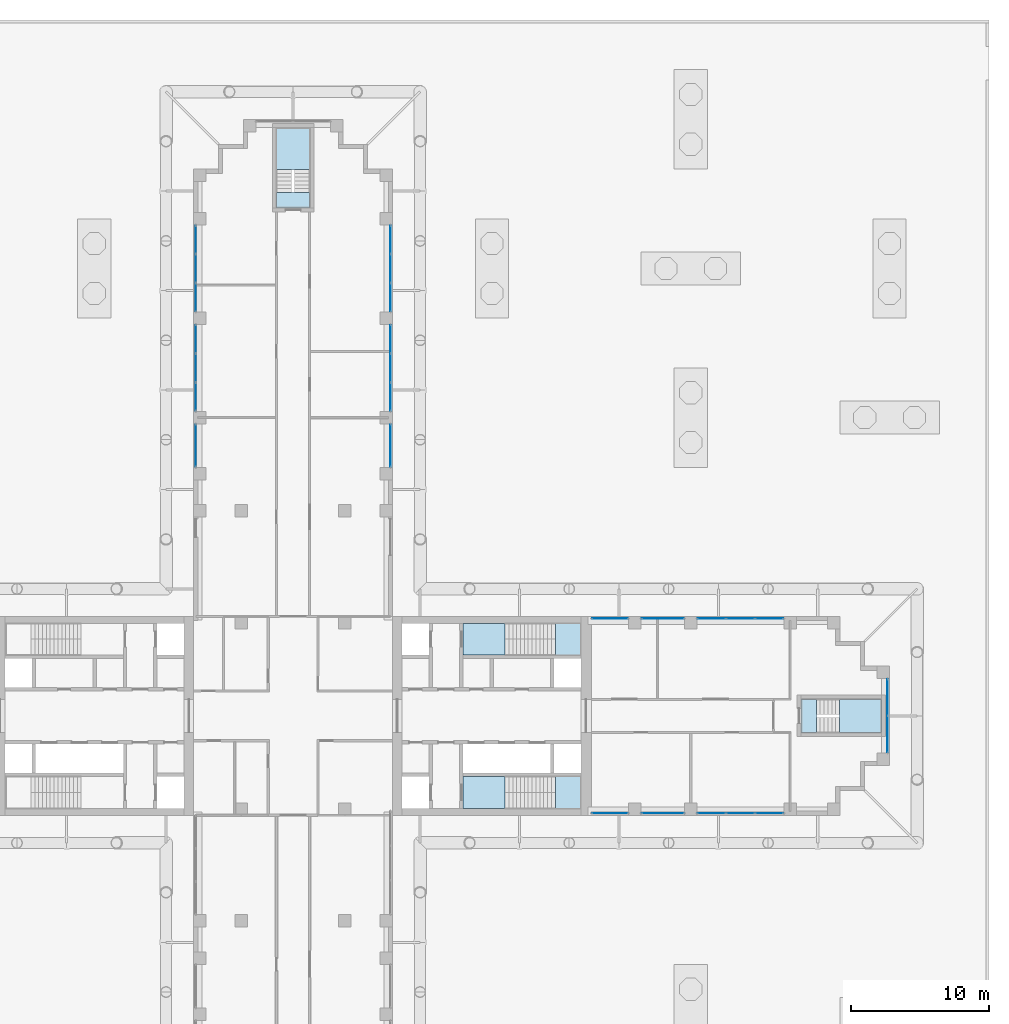
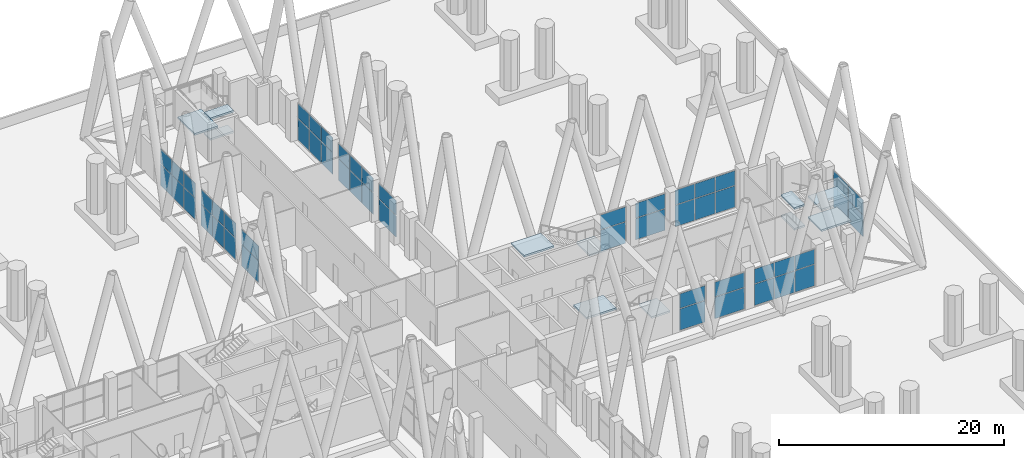
# One storey, part 16 of 31: 52 plates, 11 slabs, 17 elements without a shape of their own.
"""IFC4 building model written with IfcOpenShell, lengths in metres."""

from ifc_helpers import new_model, si_unit, direction, frame, origin, origin_2d, place, context, subcontext, project, spatial, polyline, rectangle, outline, extrude, material, layer, layer_set, type_object, element, aggregate, save


model = new_model("IFC4")

# Units and contexts
model_context = context("Model", 3, precision=1e-05, world=origin(), true_north=direction((0.0, 1.0)))
body_context = subcontext(model_context, "Body", "Model", "MODEL_VIEW")
ifc_project = project(units=[si_unit("LENGTHUNIT", "METRE"), si_unit("AREAUNIT", "SQUARE_METRE"), si_unit("VOLUMEUNIT", "CUBIC_METRE"), si_unit("PLANEANGLEUNIT", "RADIAN"), si_unit("MASSUNIT", "GRAM", prefix="KILO")], contexts=[model_context])

# Site, building, storey
site_placement = place(None, origin())
site = spatial("IfcSite", under=ifc_project, at=site_placement, CompositionType="ELEMENT")
building_placement = place(site_placement, origin())
building = spatial("IfcBuilding", under=site, at=building_placement, Name="Fustian Cross Tower", CompositionType="ELEMENT")
storey_placement = place(building_placement, frame((0.0, 0.0, 7.199951171875)))
storey = spatial("IfcBuildingStorey", under=building, at=storey_placement, Name="L01", CompositionType="ELEMENT", Elevation=7.199951171875)

# Curtain wall, plates
ifc_material_1 = material(Name="Glass", Category="glass")
curtain_wall_type = type_object("IfcCurtainWallType", Name="CW4 CURTAIN WALL", PredefinedType="NOTDEFINED", material=ifc_material_1)
curtain_wall_1_placement = place(storey_placement, origin())
curtain_wall_1 = element("IfcCurtainWall", 1, at=curtain_wall_1_placement, inside=storey, type_object=curtain_wall_type, Name="Curtain wall CW4", PredefinedType="NOTDEFINED")
ifc_material_2 = material(Name="Glass", Category="glass")
ifc_layer_1 = layer(ifc_material_2, 0.028076171875)
ifc_layer_set_1 = layer_set([ifc_layer_1], Name="Glass")
plate_type = type_object("IfcPlateType", Name="CW4 PANEL IGU28", PredefinedType="CURTAIN_PANEL", material=ifc_layer_set_1)
plate_1_placement = place(storey_placement, frame((22.949951171875, -7.050048828125, 0.06005859375), z_axis=(0.0, 0.0, 1.0), x_axis=(1.0, 0.0, 0.0)))
plate_1 = element("IfcPlate", 2, at=plate_1_placement, type_object=plate_type, Name="CW4 panel 1.1", PredefinedType="CURTAIN_PANEL", context=body_context, shape_type="SweptSolid", body=[
    extrude(rectangle(XDim=2.580078125, YDim=0.028076171875, at=origin_2d()), origin(), (0.0, 0.0, 1.0), 2.31005859375),
])
plate_2_placement = place(storey_placement, frame((22.949951171875, -7.050048828125, 2.43017578125), z_axis=(0.0, 0.0, 1.0), x_axis=(1.0, 0.0, 0.0)))
plate_2 = element("IfcPlate", 3, at=plate_2_placement, type_object=plate_type, Name="CW4 panel 1.2", PredefinedType="CURTAIN_PANEL", context=body_context, shape_type="SweptSolid", body=[
    extrude(rectangle(XDim=2.580078125, YDim=0.028076171875, at=origin_2d()), origin(), (0.0, 0.0, 1.0), 1.5849609375),
])
aggregate(curtain_wall_1, [plate_1, plate_2])

curtain_wall_2_placement = place(storey_placement, origin())
curtain_wall_2 = element("IfcCurtainWall", 4, at=curtain_wall_2_placement, inside=storey, type_object=curtain_wall_type, Name="Curtain wall CW4", PredefinedType="NOTDEFINED")
plate_3_placement = place(storey_placement, frame((26.77490234375, -7.050048828125, 0.06005859375), z_axis=(0.0, 0.0, 1.0), x_axis=(1.0, 0.0, 0.0)))
plate_3 = element("IfcPlate", 5, at=plate_3_placement, type_object=plate_type, Name="CW4 panel 1.1", PredefinedType="CURTAIN_PANEL", context=body_context, shape_type="SweptSolid", body=[
    extrude(rectangle(XDim=3.030029296875, YDim=0.028076171875, at=origin_2d()), origin(), (0.0, 0.0, 1.0), 2.31005859375),
])
plate_4_placement = place(storey_placement, frame((26.77490234375, -7.050048828125, 2.43017578125), z_axis=(0.0, 0.0, 1.0), x_axis=(1.0, 0.0, 0.0)))
plate_4 = element("IfcPlate", 6, at=plate_4_placement, type_object=plate_type, Name="CW4 panel 1.2", PredefinedType="CURTAIN_PANEL", context=body_context, shape_type="SweptSolid", body=[
    extrude(rectangle(XDim=3.030029296875, YDim=0.028076171875, at=origin_2d()), origin(), (0.0, 0.0, 1.0), 1.5849609375),
])
aggregate(curtain_wall_2, [plate_3, plate_4])

curtain_wall_3_placement = place(storey_placement, origin())
curtain_wall_3 = element("IfcCurtainWall", 7, at=curtain_wall_3_placement, inside=storey, type_object=curtain_wall_type, Name="Curtain wall CW4", PredefinedType="NOTDEFINED")
plate_5_placement = place(storey_placement, frame((30.31494140625, -7.050048828125, 0.06005859375), z_axis=(0.0, 0.0, 1.0), x_axis=(1.0, 0.0, 0.0)))
plate_5 = element("IfcPlate", 8, at=plate_5_placement, type_object=plate_type, Name="CW4 panel 1.1", PredefinedType="CURTAIN_PANEL", context=body_context, shape_type="SweptSolid", body=[
    extrude(rectangle(XDim=2.010009765625, YDim=0.028076171875, at=origin_2d()), origin(), (0.0, 0.0, 1.0), 2.31005859375),
])
plate_6_placement = place(storey_placement, frame((30.31494140625, -7.050048828125, 2.43017578125), z_axis=(0.0, 0.0, 1.0), x_axis=(1.0, 0.0, 0.0)))
plate_6 = element("IfcPlate", 9, at=plate_6_placement, type_object=plate_type, Name="CW4 panel 1.2", PredefinedType="CURTAIN_PANEL", context=body_context, shape_type="SweptSolid", body=[
    extrude(rectangle(XDim=2.010009765625, YDim=0.028076171875, at=origin_2d()), origin(), (0.0, 0.0, 1.0), 1.5849609375),
])
plate_7_placement = place(storey_placement, frame((32.39990234375, -7.050048828125, 0.06005859375), z_axis=(0.0, 0.0, 1.0), x_axis=(1.0, 0.0, 0.0)))
plate_7 = element("IfcPlate", 10, at=plate_7_placement, type_object=plate_type, Name="CW4 panel 2.1", PredefinedType="CURTAIN_PANEL", context=body_context, shape_type="SweptSolid", body=[
    extrude(rectangle(XDim=2.0400390625, YDim=0.028076171875, at=origin_2d()), origin(), (0.0, 0.0, 1.0), 2.31005859375),
])
plate_8_placement = place(storey_placement, frame((32.39990234375, -7.050048828125, 2.43017578125), z_axis=(0.0, 0.0, 1.0), x_axis=(1.0, 0.0, 0.0)))
plate_8 = element("IfcPlate", 11, at=plate_8_placement, type_object=plate_type, Name="CW4 panel 2.2", PredefinedType="CURTAIN_PANEL", context=body_context, shape_type="SweptSolid", body=[
    extrude(rectangle(XDim=2.0400390625, YDim=0.028076171875, at=origin_2d()), origin(), (0.0, 0.0, 1.0), 1.5849609375),
])
plate_9_placement = place(storey_placement, frame((34.485107421875, -7.050048828125, 0.06005859375), z_axis=(0.0, 0.0, 1.0), x_axis=(1.0, 0.0, 0.0)))
plate_9 = element("IfcPlate", 12, at=plate_9_placement, type_object=plate_type, Name="CW4 panel 3.1", PredefinedType="CURTAIN_PANEL", context=body_context, shape_type="SweptSolid", body=[
    extrude(rectangle(XDim=2.010009765625, YDim=0.028076171875, at=origin_2d()), origin(), (0.0, 0.0, 1.0), 2.31005859375),
])
plate_10_placement = place(storey_placement, frame((34.485107421875, -7.050048828125, 2.43017578125), z_axis=(0.0, 0.0, 1.0), x_axis=(1.0, 0.0, 0.0)))
plate_10 = element("IfcPlate", 13, at=plate_10_placement, type_object=plate_type, Name="CW4 panel 3.2", PredefinedType="CURTAIN_PANEL", context=body_context, shape_type="SweptSolid", body=[
    extrude(rectangle(XDim=2.010009765625, YDim=0.028076171875, at=origin_2d()), origin(), (0.0, 0.0, 1.0), 1.5849609375),
])
aggregate(curtain_wall_3, [plate_5, plate_6, plate_7, plate_8, plate_9, plate_10])

curtain_wall_4_placement = place(storey_placement, origin())
curtain_wall_4 = element("IfcCurtainWall", 14, at=curtain_wall_4_placement, inside=storey, type_object=curtain_wall_type, Name="Curtain wall CW4", PredefinedType="NOTDEFINED")
plate_11_placement = place(storey_placement, frame((43.050048828125, -1.3349609375, 0.06005859375), z_axis=(0.0, 0.0, 1.0), x_axis=(0.0, 1.0, 0.0)))
plate_11 = element("IfcPlate", 15, at=plate_11_placement, type_object=plate_type, Name="CW4 panel 1.1", PredefinedType="CURTAIN_PANEL", context=body_context, shape_type="SweptSolid", body=[
    extrude(rectangle(XDim=2.610107421875, YDim=0.028076171875, at=origin_2d()), origin(), (0.0, 0.0, 1.0), 2.31005859375),
])
plate_12_placement = place(storey_placement, frame((43.050048828125, -1.3349609375, 2.43017578125), z_axis=(0.0, 0.0, 1.0), x_axis=(0.0, 1.0, 0.0)))
plate_12 = element("IfcPlate", 16, at=plate_12_placement, type_object=plate_type, Name="CW4 panel 1.2", PredefinedType="CURTAIN_PANEL", context=body_context, shape_type="SweptSolid", body=[
    extrude(rectangle(XDim=2.610107421875, YDim=0.028076171875, at=origin_2d()), origin(), (0.0, 0.0, 1.0), 1.5849609375),
])
plate_13_placement = place(storey_placement, frame((43.050048828125, 1.3349609375, 0.06005859375), z_axis=(0.0, 0.0, 1.0), x_axis=(0.0, 1.0, 0.0)))
plate_13 = element("IfcPlate", 17, at=plate_13_placement, type_object=plate_type, Name="CW4 panel 2.1", PredefinedType="CURTAIN_PANEL", context=body_context, shape_type="SweptSolid", body=[
    extrude(rectangle(XDim=2.610107421875, YDim=0.028076171875, at=origin_2d()), origin(), (0.0, 0.0, 1.0), 2.31005859375),
])
plate_14_placement = place(storey_placement, frame((43.050048828125, 1.3349609375, 2.43017578125), z_axis=(0.0, 0.0, 1.0), x_axis=(0.0, 1.0, 0.0)))
plate_14 = element("IfcPlate", 18, at=plate_14_placement, type_object=plate_type, Name="CW4 panel 2.2", PredefinedType="CURTAIN_PANEL", context=body_context, shape_type="SweptSolid", body=[
    extrude(rectangle(XDim=2.610107421875, YDim=0.028076171875, at=origin_2d()), origin(), (0.0, 0.0, 1.0), 1.5849609375),
])
aggregate(curtain_wall_4, [plate_11, plate_12, plate_13, plate_14])

curtain_wall_5_placement = place(storey_placement, origin())
curtain_wall_5 = element("IfcCurtainWall", 19, at=curtain_wall_5_placement, inside=storey, type_object=curtain_wall_type, Name="Curtain wall CW4", PredefinedType="NOTDEFINED")
plate_15_placement = place(storey_placement, frame((34.485107421875, 7.050048828125, 0.06005859375), z_axis=(0.0, 0.0, 1.0), x_axis=(-1.0, 0.0, 0.0)))
plate_15 = element("IfcPlate", 20, at=plate_15_placement, type_object=plate_type, Name="CW4 panel 1.1", PredefinedType="CURTAIN_PANEL", context=body_context, shape_type="SweptSolid", body=[
    extrude(rectangle(XDim=2.010009765625, YDim=0.028076171875, at=origin_2d()), origin(), (0.0, 0.0, 1.0), 2.31005859375),
])
plate_16_placement = place(storey_placement, frame((34.485107421875, 7.050048828125, 2.43017578125), z_axis=(0.0, 0.0, 1.0), x_axis=(-1.0, 0.0, 0.0)))
plate_16 = element("IfcPlate", 21, at=plate_16_placement, type_object=plate_type, Name="CW4 panel 1.2", PredefinedType="CURTAIN_PANEL", context=body_context, shape_type="SweptSolid", body=[
    extrude(rectangle(XDim=2.010009765625, YDim=0.028076171875, at=origin_2d()), origin(), (0.0, 0.0, 1.0), 1.5849609375),
])
plate_17_placement = place(storey_placement, frame((32.39990234375, 7.050048828125, 0.06005859375), z_axis=(0.0, 0.0, 1.0), x_axis=(-1.0, 0.0, 0.0)))
plate_17 = element("IfcPlate", 22, at=plate_17_placement, type_object=plate_type, Name="CW4 panel 2.1", PredefinedType="CURTAIN_PANEL", context=body_context, shape_type="SweptSolid", body=[
    extrude(rectangle(XDim=2.0400390625, YDim=0.028076171875, at=origin_2d()), origin(), (0.0, 0.0, 1.0), 2.31005859375),
])
plate_18_placement = place(storey_placement, frame((32.39990234375, 7.050048828125, 2.43017578125), z_axis=(0.0, 0.0, 1.0), x_axis=(-1.0, 0.0, 0.0)))
plate_18 = element("IfcPlate", 23, at=plate_18_placement, type_object=plate_type, Name="CW4 panel 2.2", PredefinedType="CURTAIN_PANEL", context=body_context, shape_type="SweptSolid", body=[
    extrude(rectangle(XDim=2.0400390625, YDim=0.028076171875, at=origin_2d()), origin(), (0.0, 0.0, 1.0), 1.5849609375),
])
plate_19_placement = place(storey_placement, frame((30.31494140625, 7.050048828125, 0.06005859375), z_axis=(0.0, 0.0, 1.0), x_axis=(-1.0, 0.0, 0.0)))
plate_19 = element("IfcPlate", 24, at=plate_19_placement, type_object=plate_type, Name="CW4 panel 3.1", PredefinedType="CURTAIN_PANEL", context=body_context, shape_type="SweptSolid", body=[
    extrude(rectangle(XDim=2.010009765625, YDim=0.028076171875, at=origin_2d()), origin(), (0.0, 0.0, 1.0), 2.31005859375),
])
plate_20_placement = place(storey_placement, frame((30.31494140625, 7.050048828125, 2.43017578125), z_axis=(0.0, 0.0, 1.0), x_axis=(-1.0, 0.0, 0.0)))
plate_20 = element("IfcPlate", 25, at=plate_20_placement, type_object=plate_type, Name="CW4 panel 3.2", PredefinedType="CURTAIN_PANEL", context=body_context, shape_type="SweptSolid", body=[
    extrude(rectangle(XDim=2.010009765625, YDim=0.028076171875, at=origin_2d()), origin(), (0.0, 0.0, 1.0), 1.5849609375),
])
aggregate(curtain_wall_5, [plate_15, plate_16, plate_17, plate_18, plate_19, plate_20])

curtain_wall_6_placement = place(storey_placement, origin())
curtain_wall_6 = element("IfcCurtainWall", 26, at=curtain_wall_6_placement, inside=storey, type_object=curtain_wall_type, Name="Curtain wall CW4", PredefinedType="NOTDEFINED")
plate_21_placement = place(storey_placement, frame((26.77490234375, 7.050048828125, 0.06005859375), z_axis=(0.0, 0.0, 1.0), x_axis=(-1.0, 0.0, 0.0)))
plate_21 = element("IfcPlate", 27, at=plate_21_placement, type_object=plate_type, Name="CW4 panel 1.1", PredefinedType="CURTAIN_PANEL", context=body_context, shape_type="SweptSolid", body=[
    extrude(rectangle(XDim=3.030029296875, YDim=0.028076171875, at=origin_2d()), origin(), (0.0, 0.0, 1.0), 2.31005859375),
])
plate_22_placement = place(storey_placement, frame((26.77490234375, 7.050048828125, 2.43017578125), z_axis=(0.0, 0.0, 1.0), x_axis=(-1.0, 0.0, 0.0)))
plate_22 = element("IfcPlate", 28, at=plate_22_placement, type_object=plate_type, Name="CW4 panel 1.2", PredefinedType="CURTAIN_PANEL", context=body_context, shape_type="SweptSolid", body=[
    extrude(rectangle(XDim=3.030029296875, YDim=0.028076171875, at=origin_2d()), origin(), (0.0, 0.0, 1.0), 1.5849609375),
])
aggregate(curtain_wall_6, [plate_21, plate_22])

curtain_wall_7_placement = place(storey_placement, origin())
curtain_wall_7 = element("IfcCurtainWall", 29, at=curtain_wall_7_placement, inside=storey, type_object=curtain_wall_type, Name="Curtain wall CW4", PredefinedType="NOTDEFINED")
plate_23_placement = place(storey_placement, frame((22.949951171875, 7.050048828125, 0.06005859375), z_axis=(0.0, 0.0, 1.0), x_axis=(-1.0, 0.0, 0.0)))
plate_23 = element("IfcPlate", 30, at=plate_23_placement, type_object=plate_type, Name="CW4 panel 1.1", PredefinedType="CURTAIN_PANEL", context=body_context, shape_type="SweptSolid", body=[
    extrude(rectangle(XDim=2.580078125, YDim=0.028076171875, at=origin_2d()), origin(), (0.0, 0.0, 1.0), 2.31005859375),
])
plate_24_placement = place(storey_placement, frame((22.949951171875, 7.050048828125, 2.43017578125), z_axis=(0.0, 0.0, 1.0), x_axis=(-1.0, 0.0, 0.0)))
plate_24 = element("IfcPlate", 31, at=plate_24_placement, type_object=plate_type, Name="CW4 panel 1.2", PredefinedType="CURTAIN_PANEL", context=body_context, shape_type="SweptSolid", body=[
    extrude(rectangle(XDim=2.580078125, YDim=0.028076171875, at=origin_2d()), origin(), (0.0, 0.0, 1.0), 1.5849609375),
])
aggregate(curtain_wall_7, [plate_23, plate_24])

curtain_wall_8_placement = place(storey_placement, origin())
curtain_wall_8 = element("IfcCurtainWall", 32, at=curtain_wall_8_placement, inside=storey, type_object=curtain_wall_type, Name="Curtain wall CW4", PredefinedType="NOTDEFINED")
plate_25_placement = place(storey_placement, frame((7.050048828125, 19.574951171875, 0.06005859375), z_axis=(0.0, 0.0, 1.0), x_axis=(0.0, 1.0, 0.0)))
plate_25 = element("IfcPlate", 33, at=plate_25_placement, type_object=plate_type, Name="CW4 panel 1.1", PredefinedType="CURTAIN_PANEL", context=body_context, shape_type="SweptSolid", body=[
    extrude(rectangle(XDim=3.030029296875, YDim=0.028076171875, at=origin_2d()), origin(), (0.0, 0.0, 1.0), 2.31005859375),
])
plate_26_placement = place(storey_placement, frame((7.050048828125, 19.574951171875, 2.43017578125), z_axis=(0.0, 0.0, 1.0), x_axis=(0.0, 1.0, 0.0)))
plate_26 = element("IfcPlate", 34, at=plate_26_placement, type_object=plate_type, Name="CW4 panel 1.2", PredefinedType="CURTAIN_PANEL", context=body_context, shape_type="SweptSolid", body=[
    extrude(rectangle(XDim=3.030029296875, YDim=0.028076171875, at=origin_2d()), origin(), (0.0, 0.0, 1.0), 1.5849609375),
])
aggregate(curtain_wall_8, [plate_25, plate_26])

curtain_wall_9_placement = place(storey_placement, origin())
curtain_wall_9 = element("IfcCurtainWall", 35, at=curtain_wall_9_placement, inside=storey, type_object=curtain_wall_type, Name="Curtain wall CW4", PredefinedType="NOTDEFINED")
plate_27_placement = place(storey_placement, frame((7.050048828125, 23.114990234375, 0.06005859375), z_axis=(0.0, 0.0, 1.0), x_axis=(0.0, 1.0, 0.0)))
plate_27 = element("IfcPlate", 36, at=plate_27_placement, type_object=plate_type, Name="CW4 panel 1.1", PredefinedType="CURTAIN_PANEL", context=body_context, shape_type="SweptSolid", body=[
    extrude(rectangle(XDim=2.010009765625, YDim=0.028076171875, at=origin_2d()), origin(), (0.0, 0.0, 1.0), 2.31005859375),
])
plate_28_placement = place(storey_placement, frame((7.050048828125, 23.114990234375, 2.43017578125), z_axis=(0.0, 0.0, 1.0), x_axis=(0.0, 1.0, 0.0)))
plate_28 = element("IfcPlate", 37, at=plate_28_placement, type_object=plate_type, Name="CW4 panel 1.2", PredefinedType="CURTAIN_PANEL", context=body_context, shape_type="SweptSolid", body=[
    extrude(rectangle(XDim=2.010009765625, YDim=0.028076171875, at=origin_2d()), origin(), (0.0, 0.0, 1.0), 1.5849609375),
])
plate_29_placement = place(storey_placement, frame((7.050048828125, 25.199951171875, 0.06005859375), z_axis=(0.0, 0.0, 1.0), x_axis=(0.0, 1.0, 0.0)))
plate_29 = element("IfcPlate", 38, at=plate_29_placement, type_object=plate_type, Name="CW4 panel 2.1", PredefinedType="CURTAIN_PANEL", context=body_context, shape_type="SweptSolid", body=[
    extrude(rectangle(XDim=2.0400390625, YDim=0.028076171875, at=origin_2d()), origin(), (0.0, 0.0, 1.0), 2.31005859375),
])
plate_30_placement = place(storey_placement, frame((7.050048828125, 25.199951171875, 2.43017578125), z_axis=(0.0, 0.0, 1.0), x_axis=(0.0, 1.0, 0.0)))
plate_30 = element("IfcPlate", 39, at=plate_30_placement, type_object=plate_type, Name="CW4 panel 2.2", PredefinedType="CURTAIN_PANEL", context=body_context, shape_type="SweptSolid", body=[
    extrude(rectangle(XDim=2.0400390625, YDim=0.028076171875, at=origin_2d()), origin(), (0.0, 0.0, 1.0), 1.5849609375),
])
plate_31_placement = place(storey_placement, frame((7.050048828125, 27.284912109375, 0.06005859375), z_axis=(0.0, 0.0, 1.0), x_axis=(0.0, 1.0, 0.0)))
plate_31 = element("IfcPlate", 40, at=plate_31_placement, type_object=plate_type, Name="CW4 panel 3.1", PredefinedType="CURTAIN_PANEL", context=body_context, shape_type="SweptSolid", body=[
    extrude(rectangle(XDim=2.010009765625, YDim=0.028076171875, at=origin_2d()), origin(), (0.0, 0.0, 1.0), 2.31005859375),
])
plate_32_placement = place(storey_placement, frame((7.050048828125, 27.284912109375, 2.43017578125), z_axis=(0.0, 0.0, 1.0), x_axis=(0.0, 1.0, 0.0)))
plate_32 = element("IfcPlate", 41, at=plate_32_placement, type_object=plate_type, Name="CW4 panel 3.2", PredefinedType="CURTAIN_PANEL", context=body_context, shape_type="SweptSolid", body=[
    extrude(rectangle(XDim=2.010009765625, YDim=0.028076171875, at=origin_2d()), origin(), (0.0, 0.0, 1.0), 1.5849609375),
])
aggregate(curtain_wall_9, [plate_27, plate_28, plate_29, plate_30, plate_31, plate_32])

curtain_wall_10_placement = place(storey_placement, origin())
curtain_wall_10 = element("IfcCurtainWall", 42, at=curtain_wall_10_placement, inside=storey, type_object=curtain_wall_type, Name="Curtain wall CW4", PredefinedType="NOTDEFINED")
plate_33_placement = place(storey_placement, frame((7.050048828125, 30.31494140625, 0.06005859375), z_axis=(0.0, 0.0, 1.0), x_axis=(0.0, 1.0, 0.0)))
plate_33 = element("IfcPlate", 43, at=plate_33_placement, type_object=plate_type, Name="CW4 panel 1.1", PredefinedType="CURTAIN_PANEL", context=body_context, shape_type="SweptSolid", body=[
    extrude(rectangle(XDim=2.010009765625, YDim=0.028076171875, at=origin_2d()), origin(), (0.0, 0.0, 1.0), 2.31005859375),
])
plate_34_placement = place(storey_placement, frame((7.050048828125, 30.31494140625, 2.43017578125), z_axis=(0.0, 0.0, 1.0), x_axis=(0.0, 1.0, 0.0)))
plate_34 = element("IfcPlate", 44, at=plate_34_placement, type_object=plate_type, Name="CW4 panel 1.2", PredefinedType="CURTAIN_PANEL", context=body_context, shape_type="SweptSolid", body=[
    extrude(rectangle(XDim=2.010009765625, YDim=0.028076171875, at=origin_2d()), origin(), (0.0, 0.0, 1.0), 1.5849609375),
])
plate_35_placement = place(storey_placement, frame((7.050048828125, 32.39990234375, 0.06005859375), z_axis=(0.0, 0.0, 1.0), x_axis=(0.0, 1.0, 0.0)))
plate_35 = element("IfcPlate", 45, at=plate_35_placement, type_object=plate_type, Name="CW4 panel 2.1", PredefinedType="CURTAIN_PANEL", context=body_context, shape_type="SweptSolid", body=[
    extrude(rectangle(XDim=2.0400390625, YDim=0.028076171875, at=origin_2d()), origin(), (0.0, 0.0, 1.0), 2.31005859375),
])
plate_36_placement = place(storey_placement, frame((7.050048828125, 32.39990234375, 2.43017578125), z_axis=(0.0, 0.0, 1.0), x_axis=(0.0, 1.0, 0.0)))
plate_36 = element("IfcPlate", 46, at=plate_36_placement, type_object=plate_type, Name="CW4 panel 2.2", PredefinedType="CURTAIN_PANEL", context=body_context, shape_type="SweptSolid", body=[
    extrude(rectangle(XDim=2.0400390625, YDim=0.028076171875, at=origin_2d()), origin(), (0.0, 0.0, 1.0), 1.5849609375),
])
plate_37_placement = place(storey_placement, frame((7.050048828125, 34.485107421875, 0.06005859375), z_axis=(0.0, 0.0, 1.0), x_axis=(0.0, 1.0, 0.0)))
plate_37 = element("IfcPlate", 47, at=plate_37_placement, type_object=plate_type, Name="CW4 panel 3.1", PredefinedType="CURTAIN_PANEL", context=body_context, shape_type="SweptSolid", body=[
    extrude(rectangle(XDim=2.010009765625, YDim=0.028076171875, at=origin_2d()), origin(), (0.0, 0.0, 1.0), 2.31005859375),
])
plate_38_placement = place(storey_placement, frame((7.050048828125, 34.485107421875, 2.43017578125), z_axis=(0.0, 0.0, 1.0), x_axis=(0.0, 1.0, 0.0)))
plate_38 = element("IfcPlate", 48, at=plate_38_placement, type_object=plate_type, Name="CW4 panel 3.2", PredefinedType="CURTAIN_PANEL", context=body_context, shape_type="SweptSolid", body=[
    extrude(rectangle(XDim=2.010009765625, YDim=0.028076171875, at=origin_2d()), origin(), (0.0, 0.0, 1.0), 1.5849609375),
])
aggregate(curtain_wall_10, [plate_33, plate_34, plate_35, plate_36, plate_37, plate_38])

curtain_wall_11_placement = place(storey_placement, origin())
curtain_wall_11 = element("IfcCurtainWall", 49, at=curtain_wall_11_placement, inside=storey, type_object=curtain_wall_type, Name="Curtain wall CW4", PredefinedType="NOTDEFINED")
plate_39_placement = place(storey_placement, frame((-7.050048828125, 34.485107421875, 0.06005859375), z_axis=(0.0, 0.0, 1.0), x_axis=(0.0, -1.0, 0.0)))
plate_39 = element("IfcPlate", 50, at=plate_39_placement, type_object=plate_type, Name="CW4 panel 1.1", PredefinedType="CURTAIN_PANEL", context=body_context, shape_type="SweptSolid", body=[
    extrude(rectangle(XDim=2.010009765625, YDim=0.028076171875, at=origin_2d()), origin(), (0.0, 0.0, 1.0), 2.31005859375),
])
plate_40_placement = place(storey_placement, frame((-7.050048828125, 34.485107421875, 2.43017578125), z_axis=(0.0, 0.0, 1.0), x_axis=(0.0, -1.0, 0.0)))
plate_40 = element("IfcPlate", 51, at=plate_40_placement, type_object=plate_type, Name="CW4 panel 1.2", PredefinedType="CURTAIN_PANEL", context=body_context, shape_type="SweptSolid", body=[
    extrude(rectangle(XDim=2.010009765625, YDim=0.028076171875, at=origin_2d()), origin(), (0.0, 0.0, 1.0), 1.5849609375),
])
plate_41_placement = place(storey_placement, frame((-7.050048828125, 32.39990234375, 0.06005859375), z_axis=(0.0, 0.0, 1.0), x_axis=(0.0, -1.0, 0.0)))
plate_41 = element("IfcPlate", 52, at=plate_41_placement, type_object=plate_type, Name="CW4 panel 2.1", PredefinedType="CURTAIN_PANEL", context=body_context, shape_type="SweptSolid", body=[
    extrude(rectangle(XDim=2.0400390625, YDim=0.028076171875, at=origin_2d()), origin(), (0.0, 0.0, 1.0), 2.31005859375),
])
plate_42_placement = place(storey_placement, frame((-7.050048828125, 32.39990234375, 2.43017578125), z_axis=(0.0, 0.0, 1.0), x_axis=(0.0, -1.0, 0.0)))
plate_42 = element("IfcPlate", 53, at=plate_42_placement, type_object=plate_type, Name="CW4 panel 2.2", PredefinedType="CURTAIN_PANEL", context=body_context, shape_type="SweptSolid", body=[
    extrude(rectangle(XDim=2.0400390625, YDim=0.028076171875, at=origin_2d()), origin(), (0.0, 0.0, 1.0), 1.5849609375),
])
plate_43_placement = place(storey_placement, frame((-7.050048828125, 30.31494140625, 0.06005859375), z_axis=(0.0, 0.0, 1.0), x_axis=(0.0, -1.0, 0.0)))
plate_43 = element("IfcPlate", 54, at=plate_43_placement, type_object=plate_type, Name="CW4 panel 3.1", PredefinedType="CURTAIN_PANEL", context=body_context, shape_type="SweptSolid", body=[
    extrude(rectangle(XDim=2.010009765625, YDim=0.028076171875, at=origin_2d()), origin(), (0.0, 0.0, 1.0), 2.31005859375),
])
plate_44_placement = place(storey_placement, frame((-7.050048828125, 30.31494140625, 2.43017578125), z_axis=(0.0, 0.0, 1.0), x_axis=(0.0, -1.0, 0.0)))
plate_44 = element("IfcPlate", 55, at=plate_44_placement, type_object=plate_type, Name="CW4 panel 3.2", PredefinedType="CURTAIN_PANEL", context=body_context, shape_type="SweptSolid", body=[
    extrude(rectangle(XDim=2.010009765625, YDim=0.028076171875, at=origin_2d()), origin(), (0.0, 0.0, 1.0), 1.5849609375),
])
aggregate(curtain_wall_11, [plate_39, plate_40, plate_41, plate_42, plate_43, plate_44])

curtain_wall_12_placement = place(storey_placement, origin())
curtain_wall_12 = element("IfcCurtainWall", 56, at=curtain_wall_12_placement, inside=storey, type_object=curtain_wall_type, Name="Curtain wall CW4", PredefinedType="NOTDEFINED")
plate_45_placement = place(storey_placement, frame((-7.050048828125, 27.284912109375, 0.06005859375), z_axis=(0.0, 0.0, 1.0), x_axis=(0.0, -1.0, 0.0)))
plate_45 = element("IfcPlate", 57, at=plate_45_placement, type_object=plate_type, Name="CW4 panel 1.1", PredefinedType="CURTAIN_PANEL", context=body_context, shape_type="SweptSolid", body=[
    extrude(rectangle(XDim=2.010009765625, YDim=0.028076171875, at=origin_2d()), origin(), (0.0, 0.0, 1.0), 2.31005859375),
])
plate_46_placement = place(storey_placement, frame((-7.050048828125, 27.284912109375, 2.43017578125), z_axis=(0.0, 0.0, 1.0), x_axis=(0.0, -1.0, 0.0)))
plate_46 = element("IfcPlate", 58, at=plate_46_placement, type_object=plate_type, Name="CW4 panel 1.2", PredefinedType="CURTAIN_PANEL", context=body_context, shape_type="SweptSolid", body=[
    extrude(rectangle(XDim=2.010009765625, YDim=0.028076171875, at=origin_2d()), origin(), (0.0, 0.0, 1.0), 1.5849609375),
])
plate_47_placement = place(storey_placement, frame((-7.050048828125, 25.199951171875, 0.06005859375), z_axis=(0.0, 0.0, 1.0), x_axis=(0.0, -1.0, 0.0)))
plate_47 = element("IfcPlate", 59, at=plate_47_placement, type_object=plate_type, Name="CW4 panel 2.1", PredefinedType="CURTAIN_PANEL", context=body_context, shape_type="SweptSolid", body=[
    extrude(rectangle(XDim=2.0400390625, YDim=0.028076171875, at=origin_2d()), origin(), (0.0, 0.0, 1.0), 2.31005859375),
])
plate_48_placement = place(storey_placement, frame((-7.050048828125, 25.199951171875, 2.43017578125), z_axis=(0.0, 0.0, 1.0), x_axis=(0.0, -1.0, 0.0)))
plate_48 = element("IfcPlate", 60, at=plate_48_placement, type_object=plate_type, Name="CW4 panel 2.2", PredefinedType="CURTAIN_PANEL", context=body_context, shape_type="SweptSolid", body=[
    extrude(rectangle(XDim=2.0400390625, YDim=0.028076171875, at=origin_2d()), origin(), (0.0, 0.0, 1.0), 1.5849609375),
])
plate_49_placement = place(storey_placement, frame((-7.050048828125, 23.114990234375, 0.06005859375), z_axis=(0.0, 0.0, 1.0), x_axis=(0.0, -1.0, 0.0)))
plate_49 = element("IfcPlate", 61, at=plate_49_placement, type_object=plate_type, Name="CW4 panel 3.1", PredefinedType="CURTAIN_PANEL", context=body_context, shape_type="SweptSolid", body=[
    extrude(rectangle(XDim=2.010009765625, YDim=0.028076171875, at=origin_2d()), origin(), (0.0, 0.0, 1.0), 2.31005859375),
])
plate_50_placement = place(storey_placement, frame((-7.050048828125, 23.114990234375, 2.43017578125), z_axis=(0.0, 0.0, 1.0), x_axis=(0.0, -1.0, 0.0)))
plate_50 = element("IfcPlate", 62, at=plate_50_placement, type_object=plate_type, Name="CW4 panel 3.2", PredefinedType="CURTAIN_PANEL", context=body_context, shape_type="SweptSolid", body=[
    extrude(rectangle(XDim=2.010009765625, YDim=0.028076171875, at=origin_2d()), origin(), (0.0, 0.0, 1.0), 1.5849609375),
])
aggregate(curtain_wall_12, [plate_45, plate_46, plate_47, plate_48, plate_49, plate_50])

curtain_wall_13_placement = place(storey_placement, origin())
curtain_wall_13 = element("IfcCurtainWall", 63, at=curtain_wall_13_placement, inside=storey, type_object=curtain_wall_type, Name="Curtain wall CW4", PredefinedType="NOTDEFINED")
plate_51_placement = place(storey_placement, frame((-7.050048828125, 19.574951171875, 0.06005859375), z_axis=(0.0, 0.0, 1.0), x_axis=(0.0, -1.0, 0.0)))
plate_51 = element("IfcPlate", 64, at=plate_51_placement, type_object=plate_type, Name="CW4 panel 1.1", PredefinedType="CURTAIN_PANEL", context=body_context, shape_type="SweptSolid", body=[
    extrude(rectangle(XDim=3.030029296875, YDim=0.028076171875, at=origin_2d()), origin(), (0.0, 0.0, 1.0), 2.31005859375),
])
plate_52_placement = place(storey_placement, frame((-7.050048828125, 19.574951171875, 2.43017578125), z_axis=(0.0, 0.0, 1.0), x_axis=(0.0, -1.0, 0.0)))
plate_52 = element("IfcPlate", 65, at=plate_52_placement, type_object=plate_type, Name="CW4 panel 1.2", PredefinedType="CURTAIN_PANEL", context=body_context, shape_type="SweptSolid", body=[
    extrude(rectangle(XDim=3.030029296875, YDim=0.028076171875, at=origin_2d()), origin(), (0.0, 0.0, 1.0), 1.5849609375),
])
aggregate(curtain_wall_13, [plate_51, plate_52])

# Stair, slabs
ifc_material_3 = material(Name="Concrete C50/60", Category="concrete")
stair_type_1 = type_object("IfcStairType", Name="STAIR 1150 HALF TURN", PredefinedType="HALF_TURN_STAIR", material=ifc_material_3)
stair_1_placement = place(storey_placement, origin())
stair_1 = element("IfcStair", 66, at=stair_1_placement, inside=storey, type_object=stair_type_1, Name="Stair ST1", PredefinedType="HALF_TURN_STAIR")
ifc_material_4 = material(Name="Concrete C50/60", Category="concrete")
ifc_layer_2 = layer(ifc_material_4, 0.199951171875)
ifc_layer_set_2 = layer_set([ifc_layer_2], Name="Concrete C50/60")
slab_type = type_object("IfcSlabType", Name="STAIR LANDING", PredefinedType="LANDING", material=ifc_layer_set_2)
slab_1_placement = place(storey_placement, frame((0.0, 0.0, 2.050048828125)))
slab_1 = element("IfcSlab", 67, at=slab_1_placement, type_object=slab_type, Name="ST1 landing 1", PredefinedType="LANDING", context=body_context, shape_type="SweptSolid", body=[
    extrude(outline(polyline([(18.989990234375, 4.39990234375), (20.85009765625, 4.39990234375), (20.85009765625, 6.699951171875), (18.989990234375, 6.699951171875), (18.989990234375, 4.39990234375)])), origin(), (0.0, 0.0, 1.0), 0.199951171875),
])
slab_2_placement = place(storey_placement, frame((0.0, 0.0, 4.300048828125)))
slab_2 = element("IfcSlab", 68, at=slab_2_placement, type_object=slab_type, Name="ST1 landing 2", PredefinedType="LANDING", context=body_context, shape_type="SweptSolid", body=[
    extrude(outline(polyline([(12.300048828125, 4.39990234375), (15.35009765625, 4.39990234375), (15.35009765625, 6.699951171875), (12.300048828125, 6.699951171875), (12.300048828125, 4.39990234375)])), origin(), (0.0, 0.0, 1.0), 0.199951171875),
])
aggregate(stair_1, [slab_1, slab_2])

stair_2_placement = place(storey_placement, origin())
stair_2 = element("IfcStair", 69, at=stair_2_placement, inside=storey, type_object=stair_type_1, Name="Stair ST2", PredefinedType="HALF_TURN_STAIR")
slab_3_placement = place(storey_placement, frame((0.0, 0.0, 2.050048828125)))
slab_3 = element("IfcSlab", 70, at=slab_3_placement, type_object=slab_type, Name="ST2 landing 1", PredefinedType="LANDING", context=body_context, shape_type="SweptSolid", body=[
    extrude(outline(polyline([(18.989990234375, -4.39990234375), (20.85009765625, -4.39990234375), (20.85009765625, -6.699951171875), (18.989990234375, -6.699951171875), (18.989990234375, -4.39990234375)])), origin(), (0.0, 0.0, 1.0), 0.199951171875),
])
slab_4_placement = place(storey_placement, frame((0.0, 0.0, 4.300048828125)))
slab_4 = element("IfcSlab", 71, at=slab_4_placement, type_object=slab_type, Name="ST2 landing 2", PredefinedType="LANDING", context=body_context, shape_type="SweptSolid", body=[
    extrude(outline(polyline([(12.300048828125, -4.39990234375), (15.35009765625, -4.39990234375), (15.35009765625, -6.699951171875), (12.300048828125, -6.699951171875), (12.300048828125, -4.39990234375)])), origin(), (0.0, 0.0, 1.0), 0.199951171875),
])
aggregate(stair_2, [slab_3, slab_4])

ifc_material_5 = material(Name="Concrete C50/60", Category="concrete")
stair_type_2 = type_object("IfcStairType", Name="STAIR 1100 HALF TURN", PredefinedType="HALF_TURN_STAIR", material=ifc_material_5)
stair_3_placement = place(storey_placement, origin())
stair_3 = element("IfcStair", 72, at=stair_3_placement, inside=storey, type_object=stair_type_2, Name="Stair ST5", PredefinedType="HALF_TURN_STAIR")
slab_5_placement = place(storey_placement, frame((0.0, 0.0, 0.925048828125)))
slab_5 = element("IfcSlab", 73, at=slab_5_placement, type_object=slab_type, Name="ST5 landing 1", PredefinedType="LANDING", context=body_context, shape_type="SweptSolid", body=[
    extrude(outline(polyline([(-1.199951171875, 39.580078125), (-1.199951171875, 42.60009765625), (1.199951171875, 42.60009765625), (1.199951171875, 39.580078125), (-1.199951171875, 39.580078125)])), origin(), (0.0, 0.0, 1.0), 0.199951171875),
])
slab_6_placement = place(storey_placement, frame((0.0, 0.0, 2.050048828125)))
slab_6 = element("IfcSlab", 74, at=slab_6_placement, type_object=slab_type, Name="ST5 landing 2", PredefinedType="LANDING", context=body_context, shape_type="SweptSolid", body=[
    extrude(outline(polyline([(-1.199951171875, 36.800048828125), (-1.199951171875, 37.89990234375), (1.199951171875, 37.89990234375), (1.199951171875, 36.800048828125), (-1.199951171875, 36.800048828125)])), origin(), (0.0, 0.0, 1.0), 0.199951171875),
])
slab_7_placement = place(storey_placement, frame((0.0, 0.0, 4.300048828125)))
slab_7 = element("IfcSlab", 75, at=slab_7_placement, type_object=slab_type, Name="ST5 landing 4", PredefinedType="LANDING", context=body_context, shape_type="SweptSolid", body=[
    extrude(outline(polyline([(-1.199951171875, 36.800048828125), (-1.199951171875, 37.89990234375), (1.199951171875, 37.89990234375), (1.199951171875, 36.800048828125), (-1.199951171875, 36.800048828125)])), origin(), (0.0, 0.0, 1.0), 0.199951171875),
])
aggregate(stair_3, [slab_5, slab_6, slab_7])

stair_4_placement = place(storey_placement, origin())
stair_4 = element("IfcStair", 76, at=stair_4_placement, inside=storey, type_object=stair_type_2, Name="Stair ST8", PredefinedType="HALF_TURN_STAIR")
slab_8_placement = place(storey_placement, frame((0.0, 0.0, 0.925048828125)))
slab_8 = element("IfcSlab", 77, at=slab_8_placement, type_object=slab_type, Name="ST8 landing 1", PredefinedType="LANDING", context=body_context, shape_type="SweptSolid", body=[
    extrude(outline(polyline([(39.580078125, -1.199951171875), (42.60009765625, -1.199951171875), (42.60009765625, 1.199951171875), (39.580078125, 1.199951171875), (39.580078125, -1.199951171875)])), origin(), (0.0, 0.0, 1.0), 0.199951171875),
])
slab_9_placement = place(storey_placement, frame((0.0, 0.0, 2.050048828125)))
slab_9 = element("IfcSlab", 78, at=slab_9_placement, type_object=slab_type, Name="ST8 landing 2", PredefinedType="LANDING", context=body_context, shape_type="SweptSolid", body=[
    extrude(outline(polyline([(36.800048828125, -1.199951171875), (37.89990234375, -1.199951171875), (37.89990234375, 1.199951171875), (36.800048828125, 1.199951171875), (36.800048828125, -1.199951171875)])), origin(), (0.0, 0.0, 1.0), 0.199951171875),
])
slab_10_placement = place(storey_placement, frame((0.0, 0.0, 3.175048828125)))
slab_10 = element("IfcSlab", 79, at=slab_10_placement, type_object=slab_type, Name="ST8 landing 3", PredefinedType="LANDING", context=body_context, shape_type="SweptSolid", body=[
    extrude(outline(polyline([(39.580078125, -1.199951171875), (42.60009765625, -1.199951171875), (42.60009765625, 1.199951171875), (39.580078125, 1.199951171875), (39.580078125, -1.199951171875)])), origin(), (0.0, 0.0, 1.0), 0.199951171875),
])
slab_11_placement = place(storey_placement, frame((0.0, 0.0, 4.300048828125)))
slab_11 = element("IfcSlab", 80, at=slab_11_placement, type_object=slab_type, Name="ST8 landing 4", PredefinedType="LANDING", context=body_context, shape_type="SweptSolid", body=[
    extrude(outline(polyline([(36.800048828125, -1.199951171875), (37.89990234375, -1.199951171875), (37.89990234375, 1.199951171875), (36.800048828125, 1.199951171875), (36.800048828125, -1.199951171875)])), origin(), (0.0, 0.0, 1.0), 0.199951171875),
])
aggregate(stair_4, [slab_8, slab_9, slab_10, slab_11])

save(model, "model.ifc")
